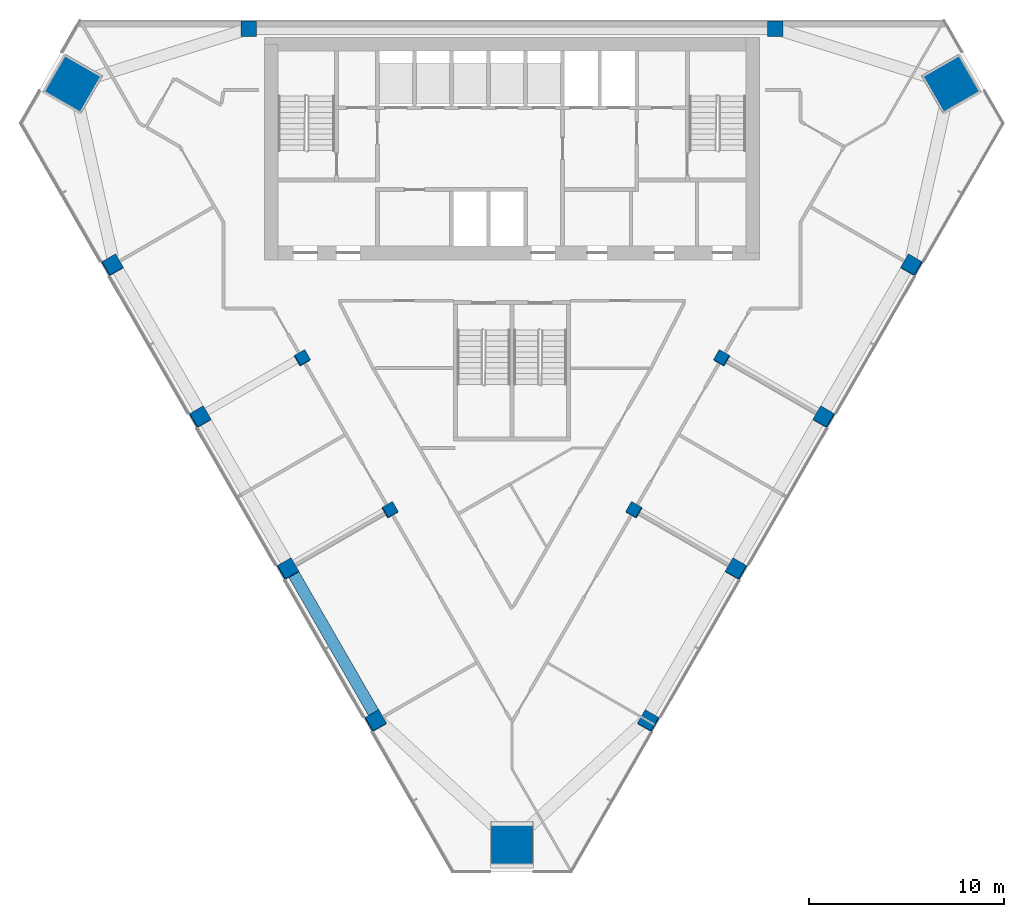
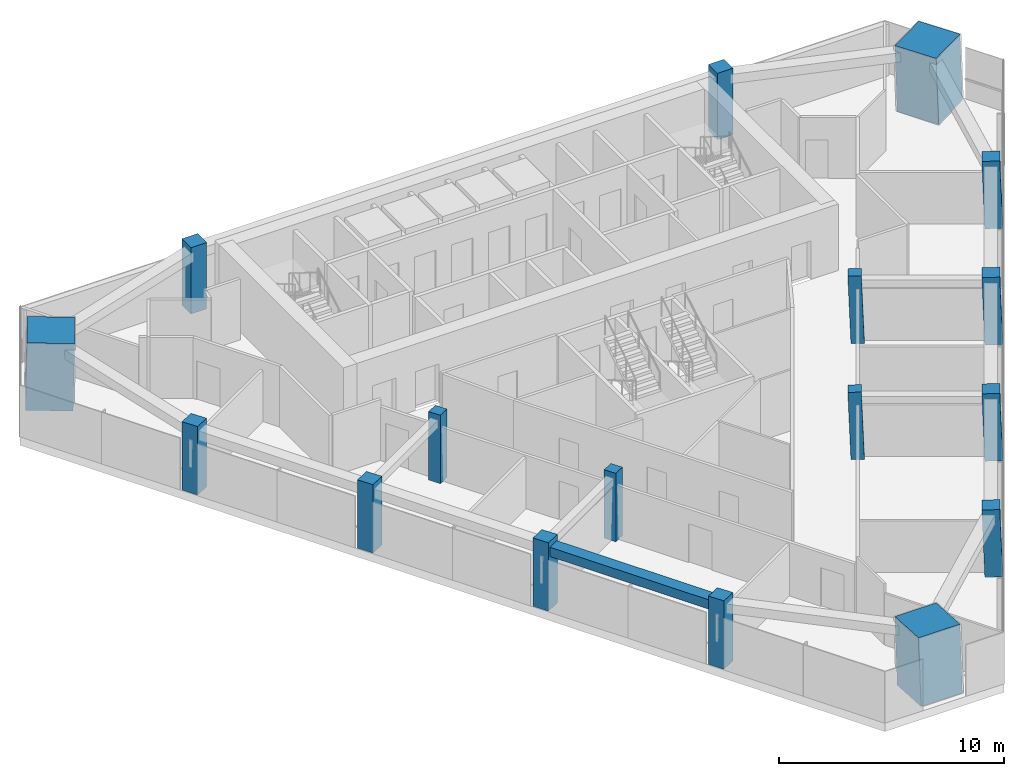
# One storey, part 1 of 13: 17 columns, 1 beam.
"""IFC4 building model written with IfcOpenShell, lengths in metres."""

from ifc_helpers import new_model, si_unit, direction, frame, origin, origin_2d, place, context, subcontext, project, spatial, rectangle, extrude, material, material_profile, profile_set, type_object, element, save


model = new_model("IFC4")

# Units and contexts
model_context = context("Model", 3, precision=1e-05, world=origin(), true_north=direction((0.0, 1.0)))
body_context = subcontext(model_context, "Body", "Model", "MODEL_VIEW")
ifc_project = project(units=[si_unit("LENGTHUNIT", "METRE"), si_unit("AREAUNIT", "SQUARE_METRE"), si_unit("VOLUMEUNIT", "CUBIC_METRE"), si_unit("PLANEANGLEUNIT", "RADIAN"), si_unit("MASSUNIT", "GRAM", prefix="KILO")], contexts=[model_context])

# Site, building, storey
site_placement = place(None, origin())
site = spatial("IfcSite", under=ifc_project, at=site_placement, CompositionType="ELEMENT")
building_placement = place(site_placement, origin())
building = spatial("IfcBuilding", under=site, at=building_placement, Name="Altiplano Prism Tower", CompositionType="ELEMENT")
storey_placement = place(building_placement, frame((0.0, 0.0, 208.800048828125)))
storey = spatial("IfcBuildingStorey", under=building, at=storey_placement, Name="L54", CompositionType="ELEMENT", Elevation=208.800048828125)

# Columns
ifc_material_1 = material(Name="Concrete C60/75", Category="concrete")
ifc_material_profile_1 = material_profile(ifc_material_1, rectangle(XDim=0.60009765625, YDim=0.60009765625, at=origin_2d()), Name="Inner column 600")
ifc_profile_set_1 = profile_set([ifc_material_profile_1], Name="Concrete C60/75")
column_type_1 = type_object("IfcColumnType", Name="Inner column 600", PredefinedType="COLUMN", material=ifc_profile_set_1)
for number, where, z_axis, x_axis, name in (
    (1, (74.231689453125, 87.64306640625, -0.018310546875), (0.022221406801, 0.038413224561, 0.999014831351), (-0.866025608488, -0.498520441803, 0.038431946975), "Inner column I12 L54"),
    (2, (78.731689453125, 79.848876953125, -0.018310546875), (0.022221406801, 0.038413224561, 0.999014831351), (-0.866021380218, -0.498527772566, 0.0384321348), "Inner column I13 L54"),
    (3, (91.268310546875, 79.848876953125, -0.018310546875), (-0.022221406801, 0.038413224561, 0.999014831351), (-0.499512940858, -0.866022219206, 0.022188685317), "Inner column I22 L54"),
    (4, (95.768310546875, 87.64306640625, -0.018310546875), (-0.022221406801, 0.038413224561, 0.999014831351), (-0.499505610102, -0.866026439136, 0.022189010639), "Inner column I23 L54"),
):
    element("IfcColumn", number, at=place(storey_placement, frame(where, z_axis=z_axis, x_axis=x_axis)), inside=storey, type_object=column_type_1, Name=name, PredefinedType="COLUMN", context=body_context, shape_type="SweptSolid", body=[
        extrude(rectangle(XDim=0.60009765625, YDim=0.60009765625, at=origin_2d()), origin(), (0.0, 0.0, 1.0), 3.603759765625),
    ])
ifc_material_2 = material(Name="Concrete C70/85", Category="concrete")
ifc_material_profile_2 = material_profile(ifc_material_2, rectangle(XDim=2.1201171875, YDim=2.1201171875, at=origin_2d()), Name="Mega column infill 2200")
ifc_profile_set_2 = profile_set([ifc_material_profile_2], Name="Concrete C70/85")
column_type_2 = type_object("IfcColumnType", Name="Mega column infill 2200", PredefinedType="COLUMN", material=ifc_profile_set_2)
column_1_placement = place(storey_placement, frame((62.41650390625, 101.702880859375, 0.0), z_axis=(0.028403721265, 0.009287135593, 0.999553389135), x_axis=(-0.866209208882, 0.499282066984, 0.019975585985)))
element("IfcColumn", 5, at=column_1_placement, inside=storey, type_object=column_type_2, Name="Mega column M0 L54", PredefinedType="COLUMN", context=body_context, shape_type="SweptSolid", body=[
    extrude(rectangle(XDim=2.1201171875, YDim=2.1201171875, at=origin_2d()), origin(), (0.0, 0.0, 1.0), 3.6015625),
])
column_2_placement = place(storey_placement, frame((85.0, 62.587158203125, 0.0), z_axis=(0.0, 0.058360852261, 0.998295552892), x_axis=(-1.0, 0.0, 0.0)))
element("IfcColumn", 6, at=column_2_placement, inside=storey, type_object=column_type_2, Name="Mega column M1 L54", PredefinedType="COLUMN", context=body_context, shape_type="SweptSolid", body=[
    extrude(rectangle(XDim=2.1201171875, YDim=2.1201171875, at=origin_2d()), origin(), (0.0, 0.0, 1.0), 3.60595703125),
])
column_3_placement = place(storey_placement, frame((107.58349609375, 101.702880859375, 0.0), z_axis=(-0.028403721265, 0.009287135593, 0.999553389135), x_axis=(0.498876060714, -0.866388293582, 0.022226128563)))
element("IfcColumn", 7, at=column_3_placement, inside=storey, type_object=column_type_2, Name="Mega column M2 L54", PredefinedType="COLUMN", context=body_context, shape_type="SweptSolid", body=[
    extrude(rectangle(XDim=2.1201171875, YDim=2.1201171875, at=origin_2d()), origin(), (0.0, 0.0, 1.0), 3.6015625),
])
ifc_material_profile_3 = material_profile(ifc_material_1, rectangle(XDim=0.800048828125, YDim=0.800048828125, at=origin_2d()), Name="Perimeter column 800")
ifc_profile_set_3 = profile_set([ifc_material_profile_3], Name="Concrete C60/75")
column_type_3 = type_object("IfcColumnType", Name="Perimeter column 800", PredefinedType="COLUMN", material=ifc_profile_set_3)
for number, where, z_axis, x_axis, name in (
    (8, (98.5, 104.550048828125, 0.0), (0.0, 0.0, 1.0), (1.0, 0.0, 0.0), "Perimeter column P01 L54"),
    (9, (71.5, 104.550048828125, 0.0), (0.0, 0.0, 1.0), (1.0, 0.0, 0.0), "Perimeter column P04 L54"),
):
    element("IfcColumn", number, at=place(storey_placement, frame(where, z_axis=z_axis, x_axis=x_axis)), inside=storey, type_object=column_type_3, Name=name, PredefinedType="COLUMN", context=body_context, shape_type="SweptSolid", body=[
        extrude(rectangle(XDim=0.800048828125, YDim=0.800048828125, at=origin_2d()), origin(), (0.0, 0.0, 1.0), 3.599853515625),
    ])
for number, where, z_axis, x_axis, name in (
    (10, (64.4921875, 92.412109375, -0.0244140625), (0.02215369191, 0.038413282303, 0.999016333038), (-0.865364661836, -0.499669122996, 0.038402728683), "Perimeter column P11 L54"),
    (11, (68.9921875, 84.61767578125, -0.0244140625), (0.022153634206, 0.038480930364, 0.999013730882), (-0.86498396361, -0.500323974095, 0.038453395727), "Perimeter column P12 L54"),
    (12, (73.4921875, 76.823486328125, -0.0244140625), (0.022153634206, 0.038480930364, 0.999013730882), (-0.864979728815, -0.500331280926, 0.038453583269), "Perimeter column P13 L54"),
    (13, (77.9921875, 69.029296875, -0.0244140625), (0.022153634206, 0.038480930364, 0.999013730882), (-0.864981286247, -0.500328593707, 0.038453514297), "Perimeter column P14 L54"),
    (14, (92.0078125, 69.029296875, -0.0244140625), (-0.022153634206, 0.038480930364, 0.999013730882), (-0.501314862072, -0.864980067006, 0.022201187994), "Perimeter column P21 L54"),
    (15, (96.5078125, 76.823486328125, -0.0244140625), (-0.022153634206, 0.038480930364, 0.999013730882), (-0.501317549295, -0.864978512638, 0.022201068531), "Perimeter column P22 L54"),
    (16, (101.0078125, 84.61767578125, -0.0244140625), (-0.022153634206, 0.038480930364, 0.999013730882), (-0.501310242453, -0.864982739102, 0.022201393363), "Perimeter column P23 L54"),
    (17, (105.5078125, 92.412109375, -0.0244140625), (-0.02215369191, 0.038413282303, 0.999016333038), (-0.500652789846, -0.865364193428, 0.022171981242), "Perimeter column P24 L54"),
):
    element("IfcColumn", number, at=place(storey_placement, frame(where, z_axis=z_axis, x_axis=x_axis)), inside=storey, type_object=column_type_3, Name=name, PredefinedType="COLUMN", context=body_context, shape_type="SweptSolid", body=[
        extrude(rectangle(XDim=0.800048828125, YDim=0.800048828125, at=origin_2d()), origin(), (0.0, 0.0, 1.0), 3.603759765625),
    ])

# Beam
ifc_material_profile_4 = material_profile(ifc_material_1, rectangle(XDim=0.60009765625, YDim=0.5, at=origin_2d()), Name="Edge beam 600x500")
ifc_profile_set_4 = profile_set([ifc_material_profile_4], Name="Concrete C60/75")
beam_type = type_object("IfcBeamType", Name="Edge beam 600x500", PredefinedType="SPANDREL", material=ifc_profile_set_4)
beam_placement = place(storey_placement, frame((73.712646484375, 76.720458984375, 3.050048828125), z_axis=(0.500006240468, -0.866021800818, 0.0), x_axis=(0.866021800818, 0.500006240468, 0.0)))
element("IfcBeam", 18, at=beam_placement, inside=storey, type_object=beam_type, Name="Edge beam P13-P14 L55", PredefinedType="SPANDREL", context=body_context, shape_type="SweptSolid", body=[
    extrude(rectangle(XDim=0.60009765625, YDim=0.5, at=origin_2d()), origin(), (0.0, 0.0, 1.0), 8.43994140625),
])

save(model, "model.ifc")
